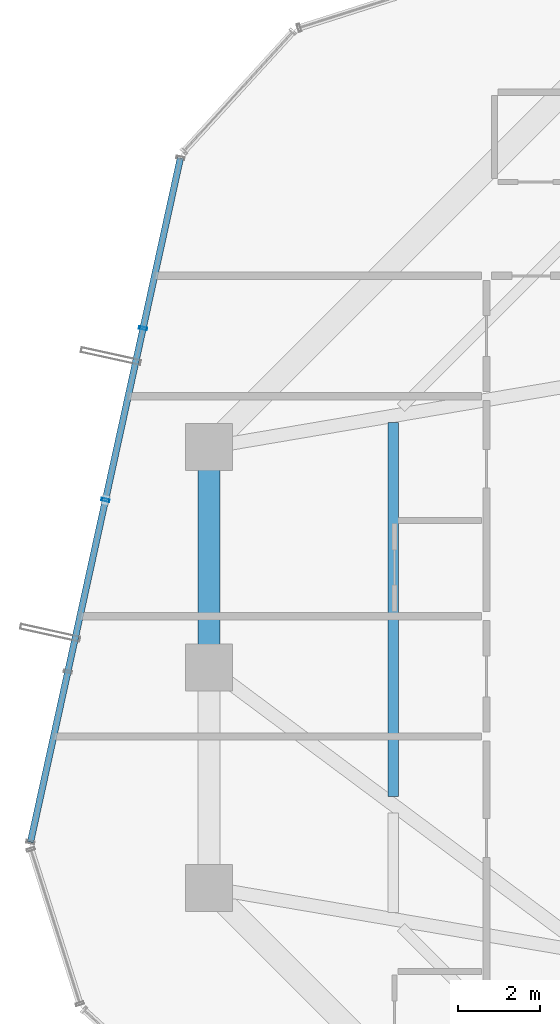
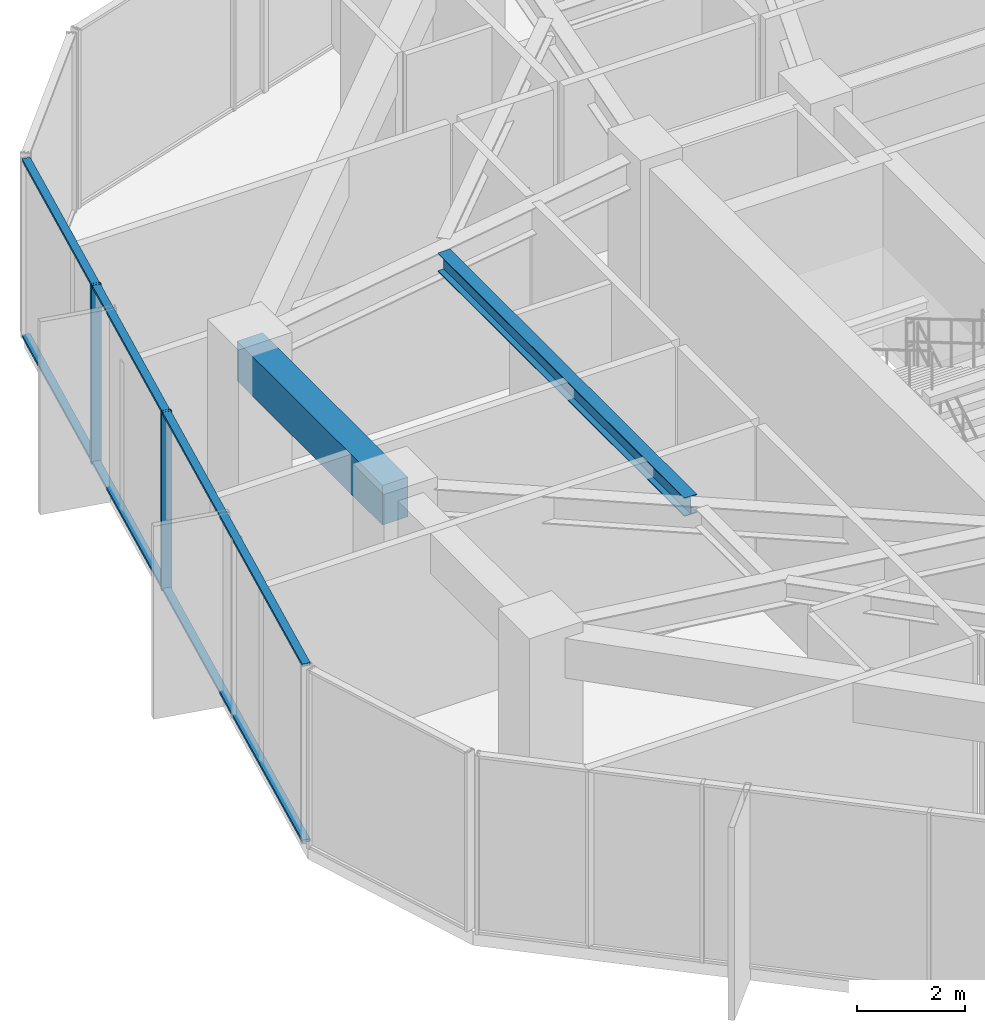
# One storey, part 11 of 28: 4 members, 2 beams, 1 element without a shape of its own.
"""IFC4 building model written with IfcOpenShell, lengths in metres."""

from ifc_helpers import new_model, si_unit, direction, frame, origin, origin_2d, place, context, subcontext, project, spatial, rectangle, hollow_rectangle, i_section, extrude, source, transform, mapped, material, layer, layer_set, material_profile, profile_set, type_object, element, aggregate, save


model = new_model("IFC4")

# Units and contexts
model_context = context("Model", 3, precision=1e-05, world=origin(), true_north=direction((0.0, 1.0)))
body_context = subcontext(model_context, "Body", "Model", "MODEL_VIEW")
ifc_project = project(units=[si_unit("LENGTHUNIT", "METRE"), si_unit("AREAUNIT", "SQUARE_METRE"), si_unit("VOLUMEUNIT", "CUBIC_METRE"), si_unit("PLANEANGLEUNIT", "RADIAN"), si_unit("MASSUNIT", "GRAM", prefix="KILO")], contexts=[model_context])

# Site, building, storey
site_placement = place(None, origin())
site = spatial("IfcSite", under=ifc_project, at=site_placement, CompositionType="ELEMENT")
building_placement = place(site_placement, origin())
building = spatial("IfcBuilding", under=site, at=building_placement, Name="Veraguas Prism Commons", CompositionType="ELEMENT")
storey_placement = place(building_placement, frame((0.0, 0.0, 85.14990234375)))
storey = spatial("IfcBuildingStorey", under=building, at=storey_placement, Name="L23", CompositionType="ELEMENT", Elevation=85.14990234375)

# Beams
ifc_material_1 = material(Name="Steel ASTM A992 Grade 50", Category="steel")
ifc_material_profile_1 = material_profile(ifc_material_1, i_section(OverallWidth=0.260986328125, OverallDepth=0.419921875, WebThickness=0.01171875, FlangeThickness=0.019287109375, at=origin_2d()), Name="W410X114")
ifc_profile_set_1 = profile_set([ifc_material_profile_1], Name="Steel ASTM A992 Grade 50")
beam_type_1 = type_object("IfcBeamType", Name="Lower Floor Joist W410x114", PredefinedType="JOIST", material=ifc_profile_set_1)
beam_1_placement = place(storey_placement, frame((12.31201171875, 30.003662109375, 3.840087890625), z_axis=(0.0, -1.0, 0.0), x_axis=(1.0, 0.0, 0.0)))
element("IfcBeam", 1, at=beam_1_placement, inside=storey, type_object=beam_type_1, Name="Composite Floor Joist L23-JS07", PredefinedType="JOIST", context=body_context, shape_type="SweptSolid", body=[
    extrude(i_section(OverallWidth=0.260986328125, OverallDepth=0.419921875, WebThickness=0.01171875, FlangeThickness=0.019287109375, at=origin_2d()), origin(), (0.0, 0.0, 1.0), 9.16162109375),
])
ifc_material_2 = material(Name="Concrete C50/60", Category="concrete")
ifc_material_profile_2 = material_profile(ifc_material_2, rectangle(XDim=0.550048828125, YDim=0.89990234375, at=origin_2d()), Name="RC550X900")
ifc_profile_set_2 = profile_set([ifc_material_profile_2], Name="Concrete C50/60")
beam_type_2 = type_object("IfcBeamType", Name="Perimeter Spandrel Lower RC 550x900", PredefinedType="SPANDREL", material=ifc_profile_set_2)
beam_2_placement = place(storey_placement, frame((7.800048828125, 29.39990234375, 3.60009765625), z_axis=(0.0, -1.0, 0.0), x_axis=(1.0, 0.0, 0.0)))
element("IfcBeam", 2, at=beam_2_placement, inside=storey, type_object=beam_type_2, Name="Perimeter Spandrel Beam L23-SP07", PredefinedType="SPANDREL", context=body_context, shape_type="SweptSolid", body=[
    extrude(rectangle(XDim=0.550048828125, YDim=0.89990234375, at=origin_2d()), origin(), (0.0, 0.0, 1.0), 5.39990234375),
])

# Curtain wall, members
ifc_material_3 = material(Name="Anodised aluminium EN AW-6063 T6", Category="aluminium")
ifc_layer = layer(ifc_material_3, 0.199951171875, Name="Sky Lobby and Pool Acoustic Curtain Wall", Category="aluminium")
ifc_layer_set = layer_set([ifc_layer], Name="Anodised aluminium EN AW-6063 T6")
curtain_wall_type = type_object("IfcCurtainWallType", Name="Sky Lobby and Pool Acoustic Curtain Wall", PredefinedType="NOTDEFINED", material=ifc_layer_set)
curtain_wall_placement = place(storey_placement, origin())
curtain_wall = element("IfcCurtainWall", 3, at=curtain_wall_placement, inside=storey, type_object=curtain_wall_type, Name="Tower Facade Curtain Wall L23-F3", PredefinedType="NOTDEFINED")
ifc_material_profile_3 = material_profile(ifc_material_3, hollow_rectangle(XDim=0.06494140625, YDim=0.199951171875, WallThickness=0.00390625, at=origin_2d()), Name="AL65X200X4")
ifc_profile_set_3 = profile_set([ifc_material_profile_3], Name="Anodised aluminium EN AW-6063 T6")
member_type_1 = type_object("IfcMemberType", Name="Curtain Wall Mullion Heavy AL 65x200x4", PredefinedType="MULLION", material=ifc_profile_set_3)
shared_shape_1 = source(origin(), body_context, "Body", "SweptSolid", [
    extrude(hollow_rectangle(XDim=0.06494140625, YDim=0.199951171875, WallThickness=0.00390625, at=origin_2d()), origin(), (0.0, 0.0, 1.0), 4.050048828125),
])
member_1_placement = place(storey_placement, frame((6.184326171875, 32.314697265625, 0.0), z_axis=(0.0, 0.0, 1.0), x_axis=(-0.21405513389, -0.976821580257, 0.0)))
member_1 = element("IfcMember", 4, at=member_1_placement, type_object=member_type_1, Name="CW-SKY Mullion 2", PredefinedType="MULLION", context=body_context, shape_type="MappedRepresentation", body=[
    mapped(shared_shape_1, transform((0.0, 0.0, 0.0), scale=1.0)),
])
member_2_placement = place(storey_placement, frame((5.26220703125, 28.10595703125, 0.0), z_axis=(0.0, 0.0, 1.0), x_axis=(-0.21405513389, -0.976821580257, 0.0)))
member_2 = element("IfcMember", 5, at=member_2_placement, type_object=member_type_1, Name="CW-SKY Mullion 3", PredefinedType="MULLION", context=body_context, shape_type="MappedRepresentation", body=[
    mapped(shared_shape_1, transform((0.0, 0.0, 0.0), scale=1.0)),
])
ifc_material_profile_4 = material_profile(ifc_material_3, hollow_rectangle(XDim=0.06005859375, YDim=0.159912109375, WallThickness=0.0029296875, at=origin_2d()), Name="AL60X160X3")
ifc_profile_set_4 = profile_set([ifc_material_profile_4], Name="Anodised aluminium EN AW-6063 T6")
member_type_2 = type_object("IfcMemberType", Name="Curtain Wall Transom Heavy AL 60x160x3", PredefinedType="USERDEFINED", material=ifc_profile_set_4)
shared_shape_2 = source(origin(), body_context, "Body", "SweptSolid", [
    extrude(hollow_rectangle(XDim=0.06005859375, YDim=0.159912109375, WallThickness=0.0029296875, at=origin_2d()), origin(), (0.0, 0.0, 1.0), 17.169189453125),
])
member_3_placement = place(storey_placement, frame((7.099853515625, 36.49169921875, 0.030029296875), z_axis=(-0.214062837967, -0.976819891997, 0.0), x_axis=(0.0, 0.0, 1.0)))
member_3 = element("IfcMember", 6, at=member_3_placement, type_object=member_type_2, Name="CW-SKY Transom 1", ObjectType="TRANSOM", PredefinedType="USERDEFINED", context=body_context, shape_type="MappedRepresentation", body=[
    mapped(shared_shape_2, transform((0.0, 0.0, 0.0), scale=1.0)),
])
member_4_placement = place(storey_placement, frame((7.099853515625, 36.49169921875, 4.02001953125), z_axis=(-0.214062837967, -0.976819891997, 0.0), x_axis=(0.0, 0.0, 1.0)))
member_4 = element("IfcMember", 7, at=member_4_placement, type_object=member_type_2, Name="CW-SKY Transom 2", ObjectType="TRANSOM", PredefinedType="USERDEFINED", context=body_context, shape_type="MappedRepresentation", body=[
    mapped(shared_shape_2, transform((0.0, 0.0, 0.0), scale=1.0)),
])
aggregate(curtain_wall, [member_1, member_2, member_3, member_4])

save(model, "model.ifc")
